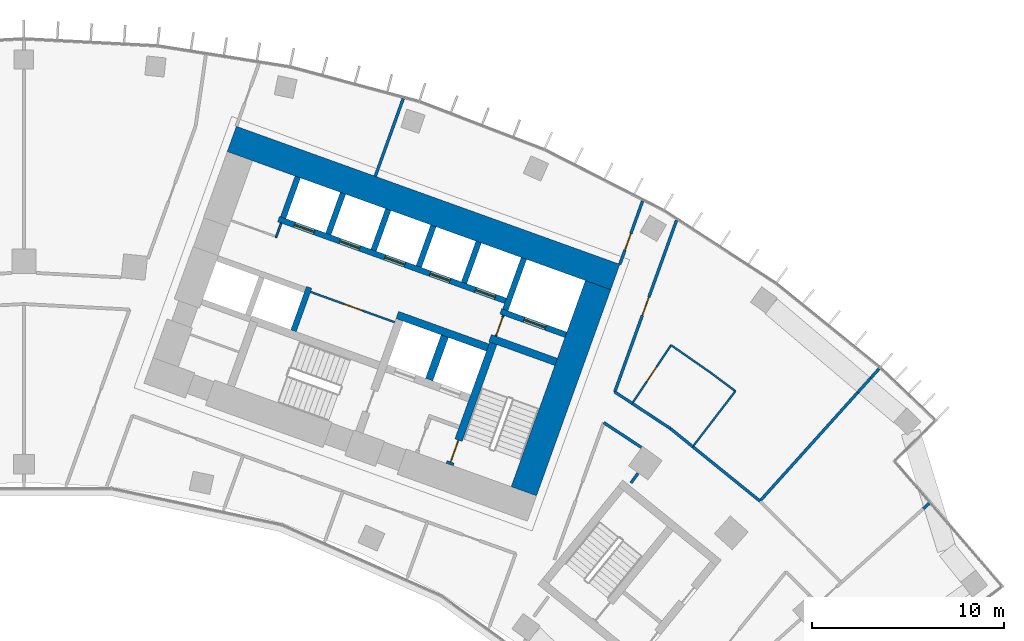
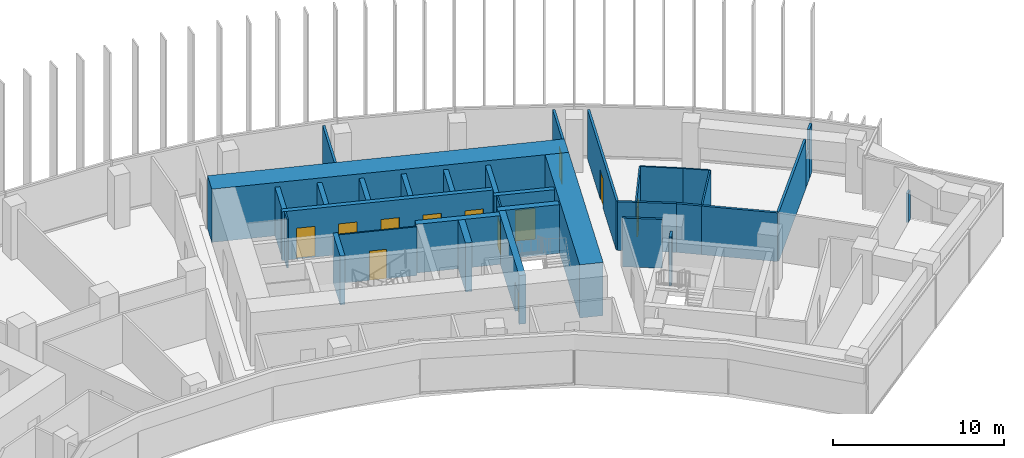
# One storey, part 19 of 22: 35 walls, 12 doors, 12 openings.
"""IFC4 building model written with IfcOpenShell, lengths in metres."""

from ifc_helpers import new_model, si_unit, direction, frame, frame_2d, origin, place, context, subcontext, project, spatial, rectangle, extrude, material, layer, layer_set, type_object, element, fill, save


model = new_model("IFC4")

# Units and contexts
model_context = context("Model", 3, precision=1e-05, world=origin(), true_north=direction((0.0, 1.0)))
body_context = subcontext(model_context, "Body", "Model", "MODEL_VIEW")
ifc_project = project(units=[si_unit("LENGTHUNIT", "METRE"), si_unit("AREAUNIT", "SQUARE_METRE"), si_unit("VOLUMEUNIT", "CUBIC_METRE"), si_unit("PLANEANGLEUNIT", "RADIAN"), si_unit("MASSUNIT", "GRAM", prefix="KILO")], contexts=[model_context])

# Site, building, storey
site_placement = place(None, origin())
site = spatial("IfcSite", under=ifc_project, at=site_placement, CompositionType="ELEMENT")
building_placement = place(site_placement, origin())
building = spatial("IfcBuilding", under=site, at=building_placement, Name="Stone Belt Terrace Tower", CompositionType="ELEMENT")
storey_placement = place(building_placement, frame((0.0, 0.0, 155.39990234375)))
storey = spatial("IfcBuildingStorey", under=building, at=storey_placement, Name="L37", CompositionType="ELEMENT", Elevation=155.39990234375)

# Wall, opening, door
ifc_material_1 = material(Name="Plasterboard partition")
ifc_layer_1 = layer(ifc_material_1, 0.10009765625)
ifc_layer_set_1 = layer_set([ifc_layer_1], Name="Core partition 100")
wall_type_1 = type_object("IfcWallType", Name="Core partition 100", PredefinedType="PARTITIONING", material=ifc_layer_set_1)
wall_1_placement = place(storey_placement, frame((24.555908203125, 51.10400390625, 0.0), z_axis=(0.0, 0.0, 1.0), x_axis=(0.338621735342, 0.94092258999, 0.0)))
wall_1 = element("IfcWall", 1, at=wall_1_placement, inside=storey, type_object=wall_type_1, Name="Core B wall", PredefinedType="PARTITIONING", context=body_context, shape_type="SweptSolid", body=[
    extrude(rectangle(XDim=1.14990234375, YDim=0.10009765625, at=frame_2d((0.574951171875, 0.0))), origin(), (0.0, 0.0, 1.0), 3.47998046875),
])
opening_1_placement = place(wall_1_placement, frame((0.050048828125, 0.0, 0.0)))
opening_1 = element("IfcOpeningElement", 2, at=opening_1_placement, cuts=wall_1, Name="Opening L37-C14", PredefinedType="OPENING", context=body_context, shape_type="SweptSolid", body=[
    extrude(rectangle(XDim=1.0, YDim=2.10009765625, at=frame_2d((0.5, 1.050048828125))), frame((0.0, 0.06005859375, 0.0), z_axis=(0.0, -1.0, 0.0), x_axis=(1.0, 0.0, 0.0)), (0.0, 0.0, 1.0), 0.1201171875),
])
ifc_material_2 = material(Name="Timber door leaf", Category="wood")
door_type_1 = type_object("IfcDoorType", Name="Core room door 1000", OperationType="SINGLE_SWING_LEFT", PredefinedType="DOOR", material=ifc_material_2)
door_1_placement = place(opening_1_placement, origin())
door_1 = element("IfcDoor", 3, at=door_1_placement, inside=storey, type_object=door_type_1, Name="Service lift lobby door core B", OperationType="SINGLE_SWING_RIGHT", OverallHeight=2.10009765625, OverallWidth=1.0, PredefinedType="DOOR", context=body_context, shape_type="SweptSolid", body=[
    extrude(rectangle(XDim=1.0, YDim=2.10009765625, at=frame_2d((0.5, 1.050048828125))), frame((0.0, 0.02490234375, 0.0), z_axis=(0.0, -1.0, 0.0), x_axis=(1.0, 0.0, 0.0)), (0.0, 0.0, 1.0), 0.050048828125),
])
fill(opening_1, door_1)

wall_2_placement = place(storey_placement, frame((19.29052734375, 51.829833984375, 0.0), z_axis=(0.0, 0.0, 1.0), x_axis=(-0.940930240745, 0.338600475563, 0.0)))
wall_2 = element("IfcWall", 4, at=wall_2_placement, inside=storey, type_object=wall_type_1, Name="Core B wall", PredefinedType="PARTITIONING", context=body_context, shape_type="SweptSolid", body=[
    extrude(rectangle(XDim=4.64990234375, YDim=0.10009765625, at=frame_2d((2.324951171875, 0.0))), origin(), (0.0, 0.0, 1.0), 3.47998046875),
])
opening_2_placement = place(wall_2_placement, frame((1.800048828125, 0.0, 0.0)))
opening_2 = element("IfcOpeningElement", 5, at=opening_2_placement, cuts=wall_2, Name="Opening L37-C13", PredefinedType="OPENING", context=body_context, shape_type="SweptSolid", body=[
    extrude(rectangle(XDim=1.0, YDim=2.10009765625, at=frame_2d((0.5, 1.050048828125))), frame((0.0, 0.06005859375, 0.0), z_axis=(0.0, -1.0, 0.0), x_axis=(1.0, 0.0, 0.0)), (0.0, 0.0, 1.0), 0.1201171875),
])
door_2_placement = place(opening_2_placement, origin())
door_2 = element("IfcDoor", 6, at=door_2_placement, inside=storey, type_object=door_type_1, Name="Door to Server room core B", OperationType="SINGLE_SWING_RIGHT", OverallHeight=2.10009765625, OverallWidth=1.0, PredefinedType="DOOR", context=body_context, shape_type="SweptSolid", body=[
    extrude(rectangle(XDim=1.0, YDim=2.10009765625, at=frame_2d((0.5, 1.050048828125))), frame((0.0, 0.02490234375, 0.0), z_axis=(0.0, -1.0, 0.0), x_axis=(1.0, 0.0, 0.0)), (0.0, 0.0, 1.0), 0.050048828125),
])
fill(opening_2, door_2)

# Walls
wall_3_placement = place(storey_placement, frame((13.115966796875, 56.230712890625, 0.0), z_axis=(0.0, 0.0, 1.0), x_axis=(0.338481684961, 0.940972979923, 0.0)))
element("IfcWall", 7, at=wall_3_placement, inside=storey, type_object=wall_type_1, Name="Core B wall", PredefinedType="PARTITIONING", context=body_context, shape_type="SweptSolid", body=[
    extrude(rectangle(XDim=0.7998046875, YDim=0.10009765625, at=frame_2d((0.39990234375, 0.0))), origin(), (0.0, 0.0, 1.0), 3.47998046875),
])
ifc_material_3 = material(Name="Concrete B80", Category="concrete")
ifc_layer_2 = layer(ifc_material_3, 1.39990234375)
ifc_layer_set_2 = layer_set([ifc_layer_2], Name="Core wall 1400 B80")
wall_type_2 = type_object("IfcWallType", Name="Core wall 1400 B80", PredefinedType="SHEAR", material=ifc_layer_set_2)
wall_4_placement = place(storey_placement, frame((10.81787109375, 61.362060546875, 0.0), z_axis=(0.0, 0.0, 1.0), x_axis=(0.940919704758, -0.338629752382, 0.0)))
element("IfcWall", 8, at=wall_4_placement, inside=storey, type_object=wall_type_2, Name="Core B wall convex L37", PredefinedType="SHEAR", context=body_context, shape_type="SweptSolid", body=[
    extrude(rectangle(XDim=21.199951171875, YDim=1.39990234375, at=frame_2d((10.60009765625, 0.0))), origin(), (0.0, 0.0, 1.0), 3.800048828125),
])
wall_5_placement = place(storey_placement, frame((26.00927734375, 43.03515625, 0.0), z_axis=(0.0, 0.0, 1.0), x_axis=(0.338625431531, 0.940921259788, 0.0)))
element("IfcWall", 9, at=wall_5_placement, inside=storey, type_object=wall_type_2, Name="Core B wall end_b L37", PredefinedType="SHEAR", context=body_context, shape_type="SweptSolid", body=[
    extrude(rectangle(XDim=11.400146484375, YDim=1.39990234375, at=frame_2d((5.7001953125, 0.0))), origin(), (0.0, 0.0, 1.0), 3.800048828125),
])
ifc_layer_3 = layer(ifc_material_3, 0.39990234375)
ifc_layer_set_3 = layer_set([ifc_layer_3], Name="Fire-fighting lift shaft wall 400")
wall_type_3 = type_object("IfcWallType", Name="Fire-fighting lift shaft wall 400", PredefinedType="SHEAR", material=ifc_layer_set_3)
wall_6_placement = place(storey_placement, frame((24.130615234375, 50.512939453125, 0.0), z_axis=(0.0, 0.0, 1.0), x_axis=(-0.94091168377, 0.338652038744, 0.0)))
element("IfcWall", 10, at=wall_6_placement, inside=storey, type_object=wall_type_3, Name="Core B wall", PredefinedType="SHEAR", context=body_context, shape_type="SweptSolid", body=[
    extrude(rectangle(XDim=5.000244140625, YDim=0.39990234375, at=frame_2d((2.5, 0.0))), origin(), (0.0, 0.0, 1.0), 3.47998046875),
])
wall_7_placement = place(storey_placement, frame((21.0859375, 48.845458984375, 0.0), z_axis=(0.0, 0.0, 1.0), x_axis=(0.338629416206, 0.940919825745, 0.0)))
element("IfcWall", 11, at=wall_7_placement, inside=storey, type_object=wall_type_3, Name="Core B wall", PredefinedType="SHEAR", context=body_context, shape_type="SweptSolid", body=[
    extrude(rectangle(XDim=2.400146484375, YDim=0.39990234375, at=frame_2d((1.2001953125, 0.0))), origin(), (0.0, 0.0, 1.0), 3.47998046875),
])

# Wall, opening, door
ifc_layer_4 = layer(ifc_material_3, 0.300048828125)
ifc_layer_set_4 = layer_set([ifc_layer_4], Name="Lift shaft wall 300")
wall_type_4 = type_object("IfcWallType", Name="Lift shaft wall 300", PredefinedType="SHEAR", material=ifc_layer_set_4)
wall_8_placement = place(storey_placement, frame((28.195068359375, 51.17578125, 0.0), z_axis=(0.0, 0.0, 1.0), x_axis=(-0.940901243567, 0.338681044427, 0.0)))
wall_8 = element("IfcWall", 12, at=wall_8_placement, inside=storey, type_object=wall_type_4, Name="Core B wall", PredefinedType="SHEAR", context=body_context, shape_type="SweptSolid", body=[
    extrude(rectangle(XDim=3.599853515625, YDim=0.300048828125, at=frame_2d((1.7998046875, 0.0))), origin(), (0.0, 0.0, 1.0), 3.47998046875),
])
opening_3_placement = place(wall_8_placement, frame((1.1201171875, 0.0, 0.0)))
opening_3 = element("IfcOpeningElement", 13, at=opening_3_placement, cuts=wall_8, Name="Opening L37-LD16", PredefinedType="OPENING", context=body_context, shape_type="SweptSolid", body=[
    extrude(rectangle(XDim=1.199951171875, YDim=2.199951171875, at=frame_2d((0.60009765625, 1.10009765625))), frame((0.0, 0.159912109375, 0.0), z_axis=(0.0, -1.0, 0.0), x_axis=(1.0, 0.0, 0.0)), (0.0, 0.0, 1.0), 0.320068359375),
])
ifc_material_4 = material(Name="Stainless steel door leaf", Category="steel")
door_type_2 = type_object("IfcDoorType", Name="Landing door 1200", OperationType="SLIDING_TO_LEFT", PredefinedType="DOOR", material=ifc_material_4)
door_3_placement = place(opening_3_placement, origin())
door_3 = element("IfcDoor", 14, at=door_3_placement, inside=storey, type_object=door_type_2, Name="Landing door SV1 core B", OperationType="SLIDING_TO_LEFT", OverallHeight=2.199951171875, OverallWidth=1.199951171875, PredefinedType="DOOR", context=body_context, shape_type="SweptSolid", body=[
    extrude(rectangle(XDim=1.199951171875, YDim=2.199951171875, at=frame_2d((0.60009765625, 1.10009765625))), frame((0.0, 0.02490234375, 0.0), z_axis=(0.0, -1.0, 0.0), x_axis=(1.0, 0.0, 0.0)), (0.0, 0.0, 1.0), 0.050048828125),
])
fill(opening_3, door_3)

# Wall
wall_9_placement = place(storey_placement, frame((25.046875, 52.46826171875, 0.0), z_axis=(0.0, 0.0, 1.0), x_axis=(0.338549588058, 0.940948551423, 0.0)))
element("IfcWall", 15, at=wall_9_placement, inside=storey, type_object=wall_type_4, Name="Core B wall", PredefinedType="SHEAR", context=body_context, shape_type="SweptSolid", body=[
    extrude(rectangle(XDim=2.849853515625, YDim=0.300048828125, at=frame_2d((1.4248046875, 0.0))), origin(), (0.0, 0.0, 1.0), 3.47998046875),
])

# Wall, openings, doors
wall_10_placement = place(storey_placement, frame((25.05810546875, 52.9423828125, 0.0), z_axis=(0.0, 0.0, 1.0), x_axis=(-0.940921381676, 0.338625092847, 0.0)))
wall_10 = element("IfcWall", 16, at=wall_10_placement, inside=storey, type_object=wall_type_4, Name="Core B wall", PredefinedType="SHEAR", context=body_context, shape_type="SweptSolid", body=[
    extrude(rectangle(XDim=12.550048828125, YDim=0.300048828125, at=frame_2d((6.27490234375, 0.0))), origin(), (0.0, 0.0, 1.0), 3.47998046875),
])
opening_4_placement = place(wall_10_placement, frame((0.570068359375, 0.0, 0.0)))
opening_4 = element("IfcOpeningElement", 17, at=opening_4_placement, cuts=wall_10, Name="Opening L37-LD09", PredefinedType="OPENING", context=body_context, shape_type="SweptSolid", body=[
    extrude(rectangle(XDim=1.10009765625, YDim=2.199951171875, at=frame_2d((0.550048828125, 1.10009765625))), frame((0.0, 0.159912109375, 0.0), z_axis=(0.0, -1.0, 0.0), x_axis=(1.0, 0.0, 0.0)), (0.0, 0.0, 1.0), 0.320068359375),
])
opening_5_placement = place(wall_10_placement, frame((3.070068359375, 0.0, 0.0)))
opening_5 = element("IfcOpeningElement", 18, at=opening_5_placement, cuts=wall_10, Name="Opening L37-LD10", PredefinedType="OPENING", context=body_context, shape_type="SweptSolid", body=[
    extrude(rectangle(XDim=1.10009765625, YDim=2.199951171875, at=frame_2d((0.550048828125, 1.10009765625))), frame((0.0, 0.159912109375, 0.0), z_axis=(0.0, -1.0, 0.0), x_axis=(1.0, 0.0, 0.0)), (0.0, 0.0, 1.0), 0.320068359375),
])
opening_6_placement = place(wall_10_placement, frame((5.570068359375, 0.0, 0.0)))
opening_6 = element("IfcOpeningElement", 19, at=opening_6_placement, cuts=wall_10, Name="Opening L37-LD11", PredefinedType="OPENING", context=body_context, shape_type="SweptSolid", body=[
    extrude(rectangle(XDim=1.10009765625, YDim=2.199951171875, at=frame_2d((0.550048828125, 1.10009765625))), frame((0.0, 0.159912109375, 0.0), z_axis=(0.0, -1.0, 0.0), x_axis=(1.0, 0.0, 0.0)), (0.0, 0.0, 1.0), 0.320068359375),
])
opening_7_placement = place(wall_10_placement, frame((8.070068359375, 0.0, 0.0)))
opening_7 = element("IfcOpeningElement", 20, at=opening_7_placement, cuts=wall_10, Name="Opening L37-LD12", PredefinedType="OPENING", context=body_context, shape_type="SweptSolid", body=[
    extrude(rectangle(XDim=1.10009765625, YDim=2.199951171875, at=frame_2d((0.550048828125, 1.10009765625))), frame((0.0, 0.159912109375, 0.0), z_axis=(0.0, -1.0, 0.0), x_axis=(1.0, 0.0, 0.0)), (0.0, 0.0, 1.0), 0.320068359375),
])
opening_8_placement = place(wall_10_placement, frame((10.570068359375, 0.0, 0.0)))
opening_8 = element("IfcOpeningElement", 21, at=opening_8_placement, cuts=wall_10, Name="Opening L37-LD13", PredefinedType="OPENING", context=body_context, shape_type="SweptSolid", body=[
    extrude(rectangle(XDim=1.10009765625, YDim=2.199951171875, at=frame_2d((0.550048828125, 1.10009765625))), frame((0.0, 0.159912109375, 0.0), z_axis=(0.0, -1.0, 0.0), x_axis=(1.0, 0.0, 0.0)), (0.0, 0.0, 1.0), 0.320068359375),
])
door_type_3 = type_object("IfcDoorType", Name="Landing door 1100", OperationType="SLIDING_TO_LEFT", PredefinedType="DOOR", material=ifc_material_4)
door_4_placement = place(opening_4_placement, origin())
door_4 = element("IfcDoor", 22, at=door_4_placement, inside=storey, type_object=door_type_3, Name="Landing door MR1 core B", OperationType="SLIDING_TO_LEFT", OverallHeight=2.199951171875, OverallWidth=1.10009765625, PredefinedType="DOOR", context=body_context, shape_type="SweptSolid", body=[
    extrude(rectangle(XDim=1.10009765625, YDim=2.199951171875, at=frame_2d((0.550048828125, 1.10009765625))), frame((0.0, 0.02490234375, 0.0), z_axis=(0.0, -1.0, 0.0), x_axis=(1.0, 0.0, 0.0)), (0.0, 0.0, 1.0), 0.050048828125),
])
fill(opening_4, door_4)
door_5_placement = place(opening_5_placement, origin())
door_5 = element("IfcDoor", 23, at=door_5_placement, inside=storey, type_object=door_type_3, Name="Landing door MR2 core B", OperationType="SLIDING_TO_LEFT", OverallHeight=2.199951171875, OverallWidth=1.10009765625, PredefinedType="DOOR", context=body_context, shape_type="SweptSolid", body=[
    extrude(rectangle(XDim=1.10009765625, YDim=2.199951171875, at=frame_2d((0.550048828125, 1.10009765625))), frame((0.0, 0.02490234375, 0.0), z_axis=(0.0, -1.0, 0.0), x_axis=(1.0, 0.0, 0.0)), (0.0, 0.0, 1.0), 0.050048828125),
])
fill(opening_5, door_5)
door_6_placement = place(opening_6_placement, origin())
door_6 = element("IfcDoor", 24, at=door_6_placement, inside=storey, type_object=door_type_3, Name="Landing door MR3 core B", OperationType="SLIDING_TO_LEFT", OverallHeight=2.199951171875, OverallWidth=1.10009765625, PredefinedType="DOOR", context=body_context, shape_type="SweptSolid", body=[
    extrude(rectangle(XDim=1.10009765625, YDim=2.199951171875, at=frame_2d((0.550048828125, 1.10009765625))), frame((0.0, 0.02490234375, 0.0), z_axis=(0.0, -1.0, 0.0), x_axis=(1.0, 0.0, 0.0)), (0.0, 0.0, 1.0), 0.050048828125),
])
fill(opening_6, door_6)
door_7_placement = place(opening_7_placement, origin())
door_7 = element("IfcDoor", 25, at=door_7_placement, inside=storey, type_object=door_type_3, Name="Landing door MR4 core B", OperationType="SLIDING_TO_LEFT", OverallHeight=2.199951171875, OverallWidth=1.10009765625, PredefinedType="DOOR", context=body_context, shape_type="SweptSolid", body=[
    extrude(rectangle(XDim=1.10009765625, YDim=2.199951171875, at=frame_2d((0.550048828125, 1.10009765625))), frame((0.0, 0.02490234375, 0.0), z_axis=(0.0, -1.0, 0.0), x_axis=(1.0, 0.0, 0.0)), (0.0, 0.0, 1.0), 0.050048828125),
])
fill(opening_7, door_7)
door_8_placement = place(opening_8_placement, origin())
door_8 = element("IfcDoor", 26, at=door_8_placement, inside=storey, type_object=door_type_3, Name="Landing door MR5 core B", OperationType="SLIDING_TO_LEFT", OverallHeight=2.199951171875, OverallWidth=1.10009765625, PredefinedType="DOOR", context=body_context, shape_type="SweptSolid", body=[
    extrude(rectangle(XDim=1.10009765625, YDim=2.199951171875, at=frame_2d((0.550048828125, 1.10009765625))), frame((0.0, 0.02490234375, 0.0), z_axis=(0.0, -1.0, 0.0), x_axis=(1.0, 0.0, 0.0)), (0.0, 0.0, 1.0), 0.050048828125),
])
fill(opening_8, door_8)

# Walls
wall_11_placement = place(storey_placement, frame((22.897705078125, 53.87939453125, 0.0), z_axis=(0.0, 0.0, 1.0), x_axis=(0.338535034312, 0.940953787677, 0.0)))
element("IfcWall", 27, at=wall_11_placement, inside=storey, type_object=wall_type_4, Name="Core B wall", PredefinedType="SHEAR", context=body_context, shape_type="SweptSolid", body=[
    extrude(rectangle(XDim=2.25, YDim=0.300048828125, at=frame_2d((1.125, 0.0))), origin(), (0.0, 0.0, 1.0), 3.47998046875),
])
wall_12_placement = place(storey_placement, frame((20.54541015625, 54.72607421875, 0.0), z_axis=(0.0, 0.0, 1.0), x_axis=(0.338569601369, 0.940941350472, 0.0)))
element("IfcWall", 28, at=wall_12_placement, inside=storey, type_object=wall_type_4, Name="Core B wall", PredefinedType="SHEAR", context=body_context, shape_type="SweptSolid", body=[
    extrude(rectangle(XDim=2.249755859375, YDim=0.300048828125, at=frame_2d((1.125, 0.0))), origin(), (0.0, 0.0, 1.0), 3.47998046875),
])
wall_13_placement = place(storey_placement, frame((18.193115234375, 55.572509765625, 0.0), z_axis=(0.0, 0.0, 1.0), x_axis=(0.338535034312, 0.940953787677, 0.0)))
element("IfcWall", 29, at=wall_13_placement, inside=storey, type_object=wall_type_4, Name="Core B wall", PredefinedType="SHEAR", context=body_context, shape_type="SweptSolid", body=[
    extrude(rectangle(XDim=2.25, YDim=0.300048828125, at=frame_2d((1.125, 0.0))), origin(), (0.0, 0.0, 1.0), 3.47998046875),
])
wall_14_placement = place(storey_placement, frame((14.029052734375, 51.38525390625, 0.0), z_axis=(0.0, 0.0, 1.0), x_axis=(0.338661829791, 0.940908159728, 0.0)))
element("IfcWall", 30, at=wall_14_placement, inside=storey, type_object=wall_type_4, Name="Core B wall", PredefinedType="SHEAR", context=body_context, shape_type="SweptSolid", body=[
    extrude(rectangle(XDim=2.39990234375, YDim=0.300048828125, at=frame_2d((1.199951171875, 0.0))), origin(), (0.0, 0.0, 1.0), 3.47998046875),
])
wall_15_placement = place(storey_placement, frame((15.8408203125, 56.419189453125, 0.0), z_axis=(0.0, 0.0, 1.0), x_axis=(0.338569601369, 0.940941350472, 0.0)))
element("IfcWall", 31, at=wall_15_placement, inside=storey, type_object=wall_type_4, Name="Core B wall", PredefinedType="SHEAR", context=body_context, shape_type="SweptSolid", body=[
    extrude(rectangle(XDim=2.249755859375, YDim=0.300048828125, at=frame_2d((1.125, 0.0))), origin(), (0.0, 0.0, 1.0), 3.47998046875),
])
wall_16_placement = place(storey_placement, frame((13.48828125, 57.265625, 0.0), z_axis=(0.0, 0.0, 1.0), x_axis=(0.338631098537, 0.940919220286, 0.0)))
element("IfcWall", 32, at=wall_16_placement, inside=storey, type_object=wall_type_4, Name="Core B wall", PredefinedType="SHEAR", context=body_context, shape_type="SweptSolid", body=[
    extrude(rectangle(XDim=2.250244140625, YDim=0.300048828125, at=frame_2d((1.125, 0.0))), origin(), (0.0, 0.0, 1.0), 3.47998046875),
])
ifc_material_5 = material(Name="Gypsum board partition")
ifc_layer_5 = layer(ifc_material_5, 0.10009765625)
ifc_layer_set_5 = layer_set([ifc_layer_5], Name="PARTITION 100")
wall_type_5 = type_object("IfcWallType", Name="PARTITION 100", PredefinedType="PARTITIONING", material=ifc_layer_set_5)
wall_17_placement = place(storey_placement, frame((34.797119140625, 45.35595703125, 0.0), z_axis=(0.0, 0.0, 1.0), x_axis=(0.608731416363, 0.793376368902, 0.0)))
element("IfcWall", 33, at=wall_17_placement, inside=storey, type_object=wall_type_5, Name="L37/wall/i075", PredefinedType="PARTITIONING", context=body_context, shape_type="SweptSolid", body=[
    extrude(rectangle(XDim=3.64013671875, YDim=0.10009765625, at=frame_2d((1.820068359375, 0.0))), origin(), (0.0, 0.0, 1.0), 3.47998046875),
])
wall_18_placement = place(storey_placement, frame((37.012939453125, 48.243896484375, 0.0), z_axis=(0.0, 0.0, 1.0), x_axis=(-0.801142595799, 0.598473509185, 0.0)))
element("IfcWall", 34, at=wall_18_placement, inside=storey, type_object=wall_type_5, Name="L37/wall/i076", PredefinedType="PARTITIONING", context=body_context, shape_type="SweptSolid", body=[
    extrude(rectangle(XDim=1.587646484375, YDim=0.10009765625, at=frame_2d((0.7939453125, 0.0))), origin(), (0.0, 0.0, 1.0), 3.47998046875),
])
wall_19_placement = place(storey_placement, frame((35.740966796875, 49.194091796875, 0.0), z_axis=(0.0, 0.0, 1.0), x_axis=(-0.821137394725, 0.570730566015, 0.0)))
element("IfcWall", 35, at=wall_19_placement, inside=storey, type_object=wall_type_5, Name="L37/wall/i077", PredefinedType="PARTITIONING", context=body_context, shape_type="SweptSolid", body=[
    extrude(rectangle(XDim=2.528076171875, YDim=0.10009765625, at=frame_2d((1.26416015625, 0.0))), origin(), (0.0, 0.0, 1.0), 3.47998046875),
])

# Wall, opening, door
wall_20_placement = place(storey_placement, frame((33.6650390625, 50.636962890625, 0.0), z_axis=(0.0, 0.0, 1.0), x_axis=(-0.553585865101, -0.832792104886, 0.0)))
wall_20 = element("IfcWall", 36, at=wall_20_placement, inside=storey, type_object=wall_type_5, Name="L37/wall/i078", PredefinedType="PARTITIONING", context=body_context, shape_type="SweptSolid", body=[
    extrude(rectangle(XDim=3.641845703125, YDim=0.10009765625, at=frame_2d((1.82080078125, 0.0))), origin(), (0.0, 0.0, 1.0), 3.47998046875),
])
opening_9_placement = place(wall_20_placement, frame((1.370849609375, 0.0, 0.0)))
opening_9 = element("IfcOpeningElement", 37, at=opening_9_placement, cuts=wall_20, Name="Opening D-C1-24", PredefinedType="OPENING", context=body_context, shape_type="SweptSolid", body=[
    extrude(rectangle(XDim=0.89990234375, YDim=2.10009765625, at=frame_2d((0.449951171875, 1.050048828125))), frame((0.0, 0.06005859375, 0.0), z_axis=(0.0, -1.0, 0.0), x_axis=(1.0, 0.0, 0.0)), (0.0, 0.0, 1.0), 0.1201171875),
])
door_type_4 = type_object("IfcDoorType", Name="OFFICE DOOR 900 X 2100", OperationType="NOTDEFINED", PredefinedType="DOOR", material=ifc_material_2)
door_9_placement = place(opening_9_placement, origin())
door_9 = element("IfcDoor", 38, at=door_9_placement, inside=storey, type_object=door_type_4, Name="L37/door/i24", OperationType="SINGLE_SWING_RIGHT", OverallHeight=2.10009765625, OverallWidth=0.89990234375, PredefinedType="DOOR", context=body_context, shape_type="SweptSolid", body=[
    extrude(rectangle(XDim=0.89990234375, YDim=2.10009765625, at=frame_2d((0.449951171875, 1.050048828125))), frame((0.0, 0.02490234375, 0.0), z_axis=(0.0, -1.0, 0.0), x_axis=(1.0, 0.0, 0.0)), (0.0, 0.0, 1.0), 0.050048828125),
])
fill(opening_9, door_9)

ifc_layer_6 = layer(ifc_material_5, 0.14990234375)
ifc_layer_set_6 = layer_set([ifc_layer_6], Name="PARTITION 150 EI 60")
wall_type_6 = type_object("IfcWallType", Name="PARTITION 150 EI 60", PredefinedType="PARTITIONING", material=ifc_layer_set_6)
wall_21_placement = place(storey_placement, frame((31.001953125, 54.842041015625, 0.0), z_axis=(0.0, 0.0, 1.0), x_axis=(0.338662585219, 0.940907887826, 0.0)))
wall_21 = element("IfcWall", 39, at=wall_21_placement, inside=storey, type_object=wall_type_6, Name="L37/wall/i027", PredefinedType="PARTITIONING", context=body_context, shape_type="SweptSolid", body=[
    extrude(rectangle(XDim=3.49560546875, YDim=0.14990234375, at=frame_2d((1.747802734375, 0.0))), origin(), (0.0, 0.0, 1.0), 3.47998046875),
])
opening_10_placement = place(wall_21_placement, frame((0.798828125, 0.0, 0.0)))
opening_10 = element("IfcOpeningElement", 40, at=opening_10_placement, cuts=wall_21, Name="Opening D-C1-12", PredefinedType="OPENING", context=body_context, shape_type="SweptSolid", body=[
    extrude(rectangle(XDim=0.89990234375, YDim=2.10009765625, at=frame_2d((0.449951171875, 1.050048828125))), frame((0.0, 0.0849609375, 0.0), z_axis=(0.0, -1.0, 0.0), x_axis=(1.0, 0.0, 0.0)), (0.0, 0.0, 1.0), 0.169921875),
])
door_10_placement = place(opening_10_placement, origin())
door_10 = element("IfcDoor", 41, at=door_10_placement, inside=storey, type_object=door_type_4, Name="L37/door/i12", OperationType="SINGLE_SWING_LEFT", OverallHeight=2.10009765625, OverallWidth=0.89990234375, PredefinedType="DOOR", context=body_context, shape_type="SweptSolid", body=[
    extrude(rectangle(XDim=0.89990234375, YDim=2.10009765625, at=frame_2d((0.449951171875, 1.050048828125))), frame((0.0, 0.02490234375, 0.0), z_axis=(0.0, -1.0, 0.0), x_axis=(1.0, 0.0, 0.0)), (0.0, 0.0, 1.0), 0.050048828125),
])
fill(opening_10, door_10)

wall_22_placement = place(storey_placement, frame((33.951904296875, 57.131103515625, 0.0), z_axis=(0.0, 0.0, 1.0), x_axis=(-0.338586530295, -0.940935258933, 0.0)))
wall_22 = element("IfcWall", 42, at=wall_22_placement, inside=storey, type_object=wall_type_6, Name="L37/wall/i031", PredefinedType="PARTITIONING", context=body_context, shape_type="SweptSolid", body=[
    extrude(rectangle(XDim=9.494873046875, YDim=0.14990234375, at=frame_2d((4.74755859375, 0.0))), origin(), (0.0, 0.0, 1.0), 3.47998046875),
])
opening_11_placement = place(wall_22_placement, frame((4.24755859375, 0.0, 0.0)))
opening_11 = element("IfcOpeningElement", 43, at=opening_11_placement, cuts=wall_22, Name="Opening D-C1-23", PredefinedType="OPENING", context=body_context, shape_type="SweptSolid", body=[
    extrude(rectangle(XDim=1.0, YDim=2.10009765625, at=frame_2d((0.5, 1.050048828125))), frame((0.0, 0.0849609375, 0.0), z_axis=(0.0, -1.0, 0.0), x_axis=(1.0, 0.0, 0.0)), (0.0, 0.0, 1.0), 0.169921875),
])
ifc_material_6 = material(Name="Timber fire door leaf", Category="wood")
door_type_5 = type_object("IfcDoorType", Name="TENANCY ENTRANCE DOOR 1000 X 2100", OperationType="NOTDEFINED", PredefinedType="DOOR", material=ifc_material_6)
door_11_placement = place(opening_11_placement, origin())
door_11 = element("IfcDoor", 44, at=door_11_placement, inside=storey, type_object=door_type_5, Name="L37/door/i23", OperationType="SINGLE_SWING_RIGHT", OverallHeight=2.10009765625, OverallWidth=1.0, PredefinedType="DOOR", context=body_context, shape_type="SweptSolid", body=[
    extrude(rectangle(XDim=1.0, YDim=2.10009765625, at=frame_2d((0.5, 1.050048828125))), frame((0.0, 0.02490234375, 0.0), z_axis=(0.0, -1.0, 0.0), x_axis=(1.0, 0.0, 0.0)), (0.0, 0.0, 1.0), 0.050048828125),
])
fill(opening_11, door_11)

# Walls
wall_23_placement = place(storey_placement, frame((19.73583984375, 63.463134765625, 0.0), z_axis=(0.0, 0.0, 1.0), x_axis=(-0.338570581803, -0.940940997692, 0.0)))
element("IfcWall", 45, at=wall_23_placement, inside=storey, type_object=wall_type_6, Name="L37/wall/i039", PredefinedType="PARTITIONING", context=body_context, shape_type="SweptSolid", body=[
    extrude(rectangle(XDim=4.296875, YDim=0.14990234375, at=frame_2d((2.1484375, 0.0))), origin(), (0.0, 0.0, 1.0), 3.47998046875),
])
wall_24_placement = place(storey_placement, frame((46.795166015625, 42.135498046875, 0.0), z_axis=(0.0, 0.0, 1.0), x_axis=(0.74338525827, 0.668863482174, 0.0)))
element("IfcWall", 46, at=wall_24_placement, inside=storey, type_object=wall_type_6, Name="L37/wall/i064-2", PredefinedType="PARTITIONING", context=body_context, shape_type="SweptSolid", body=[
    extrude(rectangle(XDim=0.399658203125, YDim=0.14990234375, at=frame_2d((0.19970703125, 0.0))), origin(), (0.0, 0.0, 1.0), 2.080078125),
])
wall_25_placement = place(storey_placement, frame((31.580078125, 43.466064453125, 0.0), z_axis=(0.0, 0.0, 1.0), x_axis=(0.58798371838, 0.808872763121, 0.0)))
element("IfcWall", 47, at=wall_25_placement, inside=storey, type_object=wall_type_6, Name="L37/wall/i065", PredefinedType="PARTITIONING", context=body_context, shape_type="SweptSolid", body=[
    extrude(rectangle(XDim=0.617919921875, YDim=0.14990234375, at=frame_2d((0.30908203125, 0.0))), origin(), (0.0, 0.0, 1.0), 3.47998046875),
])
wall_26_placement = place(storey_placement, frame((32.1181640625, 45.321044921875, 0.0), z_axis=(0.0, 0.0, 1.0), x_axis=(-0.835424653074, 0.549604993641, 0.0)))
element("IfcWall", 48, at=wall_26_placement, inside=storey, type_object=wall_type_6, Name="L37/wall/i066", PredefinedType="PARTITIONING", context=body_context, shape_type="SweptSolid", body=[
    extrude(rectangle(XDim=2.337890625, YDim=0.14990234375, at=frame_2d((1.1689453125, 0.0))), origin(), (0.0, 0.0, 1.0), 3.47998046875),
])
wall_27_placement = place(storey_placement, frame((30.739013671875, 48.202880859375, 0.0), z_axis=(0.0, 0.0, 1.0), x_axis=(0.835497879761, -0.549493669586, 0.0)))
element("IfcWall", 49, at=wall_27_placement, inside=storey, type_object=wall_type_6, Name="L37/wall/i068", PredefinedType="PARTITIONING", context=body_context, shape_type="SweptSolid", body=[
    extrude(rectangle(XDim=1.09521484375, YDim=0.14990234375, at=frame_2d((0.547607421875, 0.0))), origin(), (0.0, 0.0, 1.0), 3.47998046875),
])
wall_28_placement = place(storey_placement, frame((34.7919921875, 45.35888671875, 0.0), z_axis=(0.0, 0.0, 1.0), x_axis=(0.777241080883, -0.629202910187, 0.0)))
element("IfcWall", 50, at=wall_28_placement, inside=storey, type_object=wall_type_6, Name="L37/wall/i069", PredefinedType="PARTITIONING", context=body_context, shape_type="SweptSolid", body=[
    extrude(rectangle(XDim=4.50048828125, YDim=0.14990234375, at=frame_2d((2.250244140625, 0.0))), origin(), (0.0, 0.0, 1.0), 3.47998046875),
])
wall_29_placement = place(storey_placement, frame((31.64404296875, 47.60693359375, 0.0), z_axis=(0.0, 0.0, 1.0), x_axis=(0.835311916735, -0.549776319753, 0.0)))
element("IfcWall", 51, at=wall_29_placement, inside=storey, type_object=wall_type_6, Name="L37/wall/i070", PredefinedType="PARTITIONING", context=body_context, shape_type="SweptSolid", body=[
    extrude(rectangle(XDim=2.384765625, YDim=0.14990234375, at=frame_2d((1.1923828125, 0.0))), origin(), (0.0, 0.0, 1.0), 3.47998046875),
])
wall_30_placement = place(storey_placement, frame((33.635986328125, 46.2958984375, 0.0), z_axis=(0.0, 0.0, 1.0), x_axis=(0.777009721249, -0.629488596469, 0.0)))
element("IfcWall", 52, at=wall_30_placement, inside=storey, type_object=wall_type_6, Name="L37/wall/i071", PredefinedType="PARTITIONING", context=body_context, shape_type="SweptSolid", body=[
    extrude(rectangle(XDim=1.499267578125, YDim=0.14990234375, at=frame_2d((0.74951171875, 0.0))), origin(), (0.0, 0.0, 1.0), 3.47998046875),
])
wall_31_placement = place(storey_placement, frame((44.496826171875, 49.41943359375, 0.0), z_axis=(0.0, 0.0, 1.0), x_axis=(-0.668903645062, -0.743349119609, 0.0)))
element("IfcWall", 53, at=wall_31_placement, inside=storey, type_object=wall_type_6, Name="L37/wall/i079-1", PredefinedType="PARTITIONING", context=body_context, shape_type="SweptSolid", body=[
    extrude(rectangle(XDim=0.662353515625, YDim=0.14990234375, at=frame_2d((0.3310546875, 0.0))), origin(), (0.0, 0.0, 1.0), 3.47998046875),
])
wall_32_placement = place(storey_placement, frame((44.0537109375, 48.927001953125, 0.0), z_axis=(0.0, 0.0, 1.0), x_axis=(-0.669085526876, -0.74318541275, 0.0)))
element("IfcWall", 54, at=wall_32_placement, inside=storey, type_object=wall_type_6, Name="L37/wall/i079-2", PredefinedType="PARTITIONING", context=body_context, shape_type="SweptSolid", body=[
    extrude(rectangle(XDim=1.0048828125, YDim=0.14990234375, at=frame_2d((0.50244140625, 0.0))), origin(), (0.0, 0.0, 1.0), 2.080078125),
])
wall_33_placement = place(storey_placement, frame((43.38134765625, 48.18017578125, 0.0), z_axis=(0.0, 0.0, 1.0), x_axis=(-0.669071099604, -0.743198401287, 0.0)))
element("IfcWall", 55, at=wall_33_placement, inside=storey, type_object=wall_type_6, Name="L37/wall/i079-3", PredefinedType="PARTITIONING", context=body_context, shape_type="SweptSolid", body=[
    extrude(rectangle(XDim=7.608154296875, YDim=0.14990234375, at=frame_2d((3.80419921875, 0.0))), origin(), (0.0, 0.0, 1.0), 3.47998046875),
])
ifc_layer_7 = layer(ifc_material_3, 0.39990234375)
ifc_layer_set_7 = layer_set([ifc_layer_7], Name="Stair enclosure wall 400")
wall_type_7 = type_object("IfcWallType", Name="Stair enclosure wall 400", PredefinedType="SHEAR", material=ifc_layer_set_7)
wall_34_placement = place(storey_placement, frame((27.687255859375, 49.764404296875, 0.0), z_axis=(0.0, 0.0, 1.0), x_axis=(-0.940918954884, 0.338631835981, 0.0)))
element("IfcWall", 56, at=wall_34_placement, inside=storey, type_object=wall_type_7, Name="Core B wall", PredefinedType="SHEAR", context=body_context, shape_type="SweptSolid", body=[
    extrude(rectangle(XDim=3.650146484375, YDim=0.39990234375, at=frame_2d((1.8251953125, 0.0))), origin(), (0.0, 0.0, 1.0), 3.47998046875),
])

# Wall, opening, door
wall_35_placement = place(storey_placement, frame((22.151611328125, 44.42333984375, 0.0), z_axis=(0.0, 0.0, 1.0), x_axis=(0.338625272931, 0.940921316866, 0.0)))
wall_35 = element("IfcWall", 57, at=wall_35_placement, inside=storey, type_object=wall_type_7, Name="Core B wall", PredefinedType="SHEAR", context=body_context, shape_type="SweptSolid", body=[
    extrude(rectangle(XDim=6.699951171875, YDim=0.39990234375, at=frame_2d((3.35009765625, 0.0))), origin(), (0.0, 0.0, 1.0), 3.47998046875),
])
opening_12_placement = place(wall_35_placement, frame((0.14990234375, 0.0, 0.0)))
opening_12 = element("IfcOpeningElement", 58, at=opening_12_placement, cuts=wall_35, Name="Opening L37-C16", PredefinedType="OPENING", context=body_context, shape_type="SweptSolid", body=[
    extrude(rectangle(XDim=1.199951171875, YDim=2.10009765625, at=frame_2d((0.60009765625, 1.050048828125))), frame((0.0, 0.2099609375, 0.0), z_axis=(0.0, -1.0, 0.0), x_axis=(1.0, 0.0, 0.0)), (0.0, 0.0, 1.0), 0.419921875),
])
ifc_material_7 = material(Name="Steel door leaf", Category="steel")
door_type_6 = type_object("IfcDoorType", Name="Stair door 1200", OperationType="SINGLE_SWING_LEFT", PredefinedType="DOOR", material=ifc_material_7)
door_12_placement = place(opening_12_placement, origin())
door_12 = element("IfcDoor", 59, at=door_12_placement, inside=storey, type_object=door_type_6, Name="Stair 1 door core B", OperationType="SINGLE_SWING_RIGHT", OverallHeight=2.10009765625, OverallWidth=1.199951171875, PredefinedType="DOOR", context=body_context, shape_type="SweptSolid", body=[
    extrude(rectangle(XDim=1.199951171875, YDim=2.10009765625, at=frame_2d((0.60009765625, 1.050048828125))), frame((0.0, 0.02490234375, 0.0), z_axis=(0.0, -1.0, 0.0), x_axis=(1.0, 0.0, 0.0)), (0.0, 0.0, 1.0), 0.050048828125),
])
fill(opening_12, door_12)

save(model, "model.ifc")
